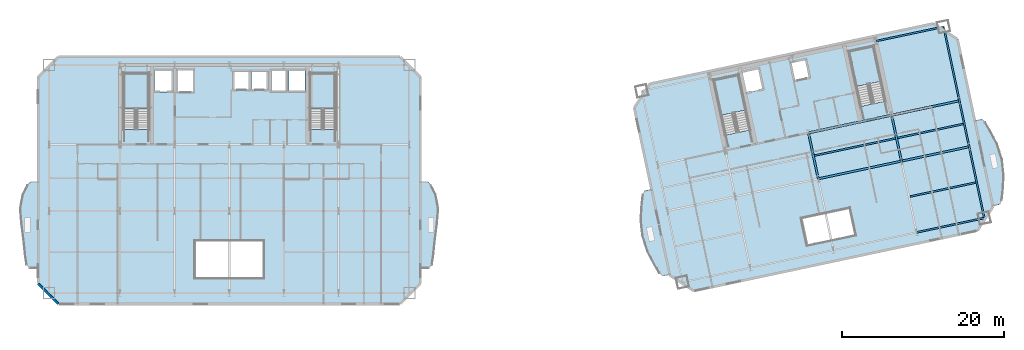
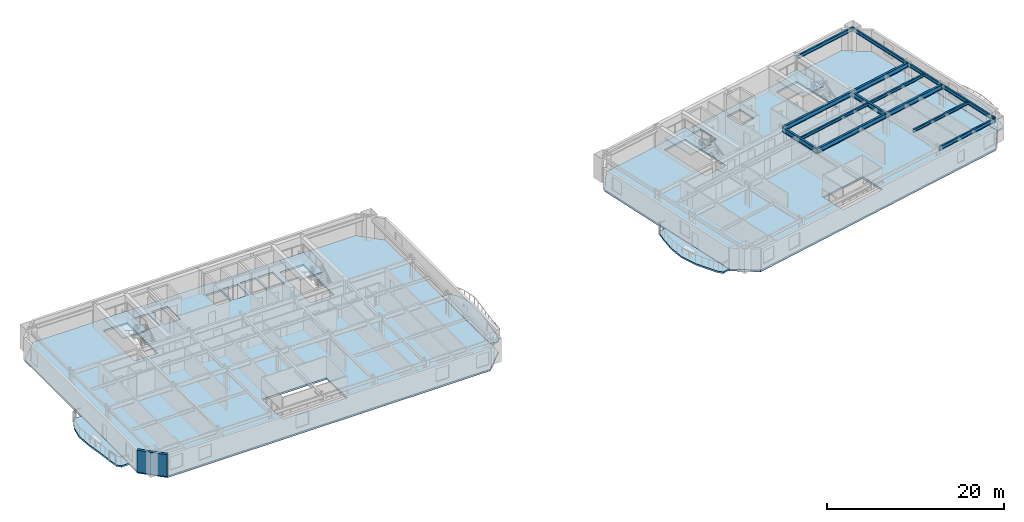
# One storey, part 4 of 14: 14 beams, 10 slabs, 1 wall, 4 elements without a shape of their own.
"""IFC4 building model written with IfcOpenShell, lengths in metres."""

from ifc_helpers import new_model, si_unit, direction, frame, frame_2d, origin, origin_2d, place, context, subcontext, project, spatial, polyline, rectangle, i_section, outline, extrude, material, layer, layer_set, material_profile, profile_set, type_object, element, aggregate, save


model = new_model("IFC4")

# Units and contexts
model_context = context("Model", 3, precision=1e-05, world=origin(), true_north=direction((0.0, 1.0)))
body_context = subcontext(model_context, "Body", "Model", "MODEL_VIEW")
ifc_project = project(units=[si_unit("LENGTHUNIT", "METRE"), si_unit("AREAUNIT", "SQUARE_METRE"), si_unit("VOLUMEUNIT", "CUBIC_METRE"), si_unit("PLANEANGLEUNIT", "RADIAN"), si_unit("MASSUNIT", "GRAM", prefix="KILO")], contexts=[model_context])

# Site, building, storey
site_placement = place(None, origin())
site = spatial("IfcSite", under=ifc_project, at=site_placement, CompositionType="ELEMENT")
building_placement = place(site_placement, origin())
building = spatial("IfcBuilding", under=site, at=building_placement, Name="Haevon Station Towers", CompositionType="ELEMENT")
storey_placement = place(building_placement, frame((0.0, 0.0, 106.5)))
storey = spatial("IfcBuildingStorey", under=building, at=storey_placement, Name="L28", CompositionType="ELEMENT", Elevation=106.5)

# Beams
ifc_material_1 = material(Name="Steel S355", Category="steel")
ifc_material_profile_1 = material_profile(ifc_material_1, i_section(OverallWidth=0.25, OverallDepth=0.64990234375, WebThickness=0.012939453125, FlangeThickness=0.02197265625, at=origin_2d()), Name="H-650x250x13x22")
ifc_profile_set_1 = profile_set([ifc_material_profile_1], Name="Steel S355")
beam_type_1 = type_object("IfcBeamType", Name="BM-G650", PredefinedType="BEAM", material=ifc_profile_set_1)
beam_1_placement = place(storey_placement, frame((110.228759765625, 33.9521484375, 2.72509765625), z_axis=(0.978146794194, 0.207915485254, 0.0), x_axis=(-0.207915485254, 0.978146794194, 0.0)))
element("IfcBeam", 1, at=beam_1_placement, inside=storey, type_object=beam_type_1, Name="BM-T2U-L28-02-03", PredefinedType="BEAM", context=body_context, shape_type="SweptSolid", body=[
    extrude(i_section(OverallWidth=0.25, OverallDepth=0.64990234375, WebThickness=0.012939453125, FlangeThickness=0.02197265625, at=origin_2d()), origin(), (0.0, 0.0, 1.0), 10.5),
])
beam_2_placement = place(storey_placement, frame((120.499267578125, 36.13525390625, 2.72509765625), z_axis=(0.978149560998, 0.207902468287, 0.0), x_axis=(-0.207902468287, 0.978149560998, 0.0)))
element("IfcBeam", 2, at=beam_2_placement, inside=storey, type_object=beam_type_1, Name="BM-T2U-L28-02-04", PredefinedType="BEAM", context=body_context, shape_type="SweptSolid", body=[
    extrude(i_section(OverallWidth=0.25, OverallDepth=0.64990234375, WebThickness=0.012939453125, FlangeThickness=0.02197265625, at=origin_2d()), origin(), (0.0, 0.0, 1.0), 8.550048828125),
])
beam_3_placement = place(storey_placement, frame((109.02294921875, 39.62548828125, 2.72509765625), z_axis=(0.978146794194, 0.207915485254, 0.0), x_axis=(-0.207915485254, 0.978146794194, 0.0)))
element("IfcBeam", 3, at=beam_3_placement, inside=storey, type_object=beam_type_1, Name="BM-T2U-L28-03-03", PredefinedType="BEAM", context=body_context, shape_type="SweptSolid", body=[
    extrude(i_section(OverallWidth=0.25, OverallDepth=0.64990234375, WebThickness=0.012939453125, FlangeThickness=0.02197265625, at=origin_2d()), origin(), (0.0, 0.0, 1.0), 10.5),
])
beam_4_placement = place(storey_placement, frame((119.29345703125, 41.80859375, 2.72509765625), z_axis=(0.978148326739, 0.2079082752, 0.0), x_axis=(-0.2079082752, 0.978148326739, 0.0)))
element("IfcBeam", 4, at=beam_4_placement, inside=storey, type_object=beam_type_1, Name="BM-T2U-L28-03-04", PredefinedType="BEAM", context=body_context, shape_type="SweptSolid", body=[
    extrude(i_section(OverallWidth=0.25, OverallDepth=0.64990234375, WebThickness=0.012939453125, FlangeThickness=0.02197265625, at=origin_2d()), origin(), (0.0, 0.0, 1.0), 8.5498046875),
])
for number, where, z_axis, x_axis, name in (
    (5, (110.228759765625, 33.9521484375, 2.72509765625), (-0.207896009217, 0.97815093383, 0.0), (-0.97815093383, -0.207896009217, 0.0), "BM-T2V-L28-03-02"),
    (6, (120.499267578125, 36.13525390625, 2.72509765625), (-0.207896009217, 0.97815093383, 0.0), (-0.97815093383, -0.207896009217, 0.0), "BM-T2V-L28-04-02"),
):
    element("IfcBeam", number, at=place(storey_placement, frame(where, z_axis=z_axis, x_axis=x_axis)), inside=storey, type_object=beam_type_1, Name=name, PredefinedType="BEAM", context=body_context, shape_type="SweptSolid", body=[
        extrude(i_section(OverallWidth=0.25, OverallDepth=0.64990234375, WebThickness=0.012939453125, FlangeThickness=0.02197265625, at=origin_2d()), origin(), (0.0, 0.0, 1.0), 5.800048828125),
    ])
ifc_material_profile_2 = material_profile(ifc_material_1, i_section(OverallWidth=0.199951171875, OverallDepth=0.39990234375, WebThickness=0.008056640625, FlangeThickness=0.012939453125, at=origin_2d()), Name="H-400x200x8x13")
ifc_profile_set_2 = profile_set([ifc_material_profile_2], Name="Steel S355")
beam_type_2 = type_object("IfcBeamType", Name="BM-J400", PredefinedType="JOIST", material=ifc_profile_set_2)
beam_5_placement = place(storey_placement, frame((121.54248046875, 31.756591796875, 2.85009765625), z_axis=(0.978146782292, 0.207915541247, 0.0), x_axis=(-0.207915541247, 0.978146782292, 0.0)))
element("IfcBeam", 7, at=beam_5_placement, inside=storey, type_object=beam_type_2, Name="BM-T2J-L28-01-04", PredefinedType="JOIST", context=body_context, shape_type="SweptSolid", body=[
    extrude(i_section(OverallWidth=0.199951171875, OverallDepth=0.39990234375, WebThickness=0.008056640625, FlangeThickness=0.012939453125, at=origin_2d()), origin(), (0.0, 0.0, 1.0), 8.330078125),
])
beam_6_placement = place(storey_placement, frame((109.7333984375, 36.811767578125, 2.85009765625), z_axis=(0.978150339653, 0.207898804801, 0.0), x_axis=(-0.207898804801, 0.978150339653, 0.0)))
element("IfcBeam", 8, at=beam_6_placement, inside=storey, type_object=beam_type_2, Name="BM-T2J-L28-02-03", PredefinedType="JOIST", context=body_context, shape_type="SweptSolid", body=[
    extrude(i_section(OverallWidth=0.199951171875, OverallDepth=0.39990234375, WebThickness=0.008056640625, FlangeThickness=0.012939453125, at=origin_2d()), origin(), (0.0, 0.0, 1.0), 10.280029296875),
])
beam_7_placement = place(storey_placement, frame((120.00390625, 38.994873046875, 2.85009765625), z_axis=(0.978146782292, 0.207915541247, 0.0), x_axis=(-0.207915541247, 0.978146782292, 0.0)))
element("IfcBeam", 9, at=beam_7_placement, inside=storey, type_object=beam_type_2, Name="BM-T2J-L28-02-04", PredefinedType="JOIST", context=body_context, shape_type="SweptSolid", body=[
    extrude(i_section(OverallWidth=0.199951171875, OverallDepth=0.39990234375, WebThickness=0.008056640625, FlangeThickness=0.012939453125, at=origin_2d()), origin(), (0.0, 0.0, 1.0), 8.330078125),
])
ifc_material_profile_3 = material_profile(ifc_material_1, i_section(OverallWidth=0.199951171875, OverallDepth=0.5, WebThickness=0.010009765625, FlangeThickness=0.01611328125, at=origin_2d()), Name="H-500x200x10x16")
ifc_profile_set_3 = profile_set([ifc_material_profile_3], Name="Steel S355")
beam_type_3 = type_object("IfcBeamType", Name="BM-SP500", PredefinedType="SPANDREL", material=ifc_profile_set_3)
beam_8_placement = place(storey_placement, frame((122.37060546875, 27.33203125, 2.800048828125), z_axis=(0.978148326739, 0.2079082752, 0.0), x_axis=(-0.2079082752, 0.978148326739, 0.0)))
element("IfcBeam", 10, at=beam_8_placement, inside=storey, type_object=beam_type_3, Name="BM-T2U-L28-01-04", PredefinedType="SPANDREL", context=body_context, shape_type="SweptSolid", body=[
    extrude(i_section(OverallWidth=0.199951171875, OverallDepth=0.5, WebThickness=0.010009765625, FlangeThickness=0.01611328125, at=origin_2d()), origin(), (0.0, 0.0, 1.0), 8.5498046875),
])
beam_9_placement = place(storey_placement, frame((117.349365234375, 50.954345703125, 2.800048828125), z_axis=(0.978149560998, 0.207902468287, 0.0), x_axis=(-0.207902468287, 0.978149560998, 0.0)))
element("IfcBeam", 11, at=beam_9_placement, inside=storey, type_object=beam_type_3, Name="BM-T2U-L28-04-04", PredefinedType="SPANDREL", context=body_context, shape_type="SweptSolid", body=[
    extrude(i_section(OverallWidth=0.199951171875, OverallDepth=0.5, WebThickness=0.010009765625, FlangeThickness=0.01611328125, at=origin_2d()), origin(), (0.0, 0.0, 1.0), 8.550048828125),
])
beam_10_placement = place(storey_placement, frame((130.733642578125, 29.109619140625, 2.800048828125), z_axis=(-0.20790223038, 0.978149611564, 0.0), x_axis=(-0.978149611564, -0.20790223038, 0.0)))
element("IfcBeam", 12, at=beam_10_placement, inside=storey, type_object=beam_type_3, Name="BM-T2V-L28-05-01", PredefinedType="SPANDREL", context=body_context, shape_type="SweptSolid", body=[
    extrude(i_section(OverallWidth=0.199951171875, OverallDepth=0.5, WebThickness=0.010009765625, FlangeThickness=0.01611328125, at=origin_2d()), origin(), (0.0, 0.0, 1.0), 8.999755859375),
])
beam_11_placement = place(storey_placement, frame((128.862548828125, 37.912841796875, 2.800048828125), z_axis=(-0.207936282142, 0.978142373363, 0.0), x_axis=(-0.978142373363, -0.207936282142, 0.0)))
element("IfcBeam", 13, at=beam_11_placement, inside=storey, type_object=beam_type_3, Name="BM-T2V-L28-05-02", PredefinedType="SPANDREL", context=body_context, shape_type="SweptSolid", body=[
    extrude(i_section(OverallWidth=0.199951171875, OverallDepth=0.5, WebThickness=0.010009765625, FlangeThickness=0.01611328125, at=origin_2d()), origin(), (0.0, 0.0, 1.0), 5.800048828125),
])
beam_12_placement = place(storey_placement, frame((127.656494140625, 43.586181640625, 2.800048828125), z_axis=(-0.207897167074, 0.978150687738, 0.0), x_axis=(-0.978150687738, -0.207897167074, 0.0)))
element("IfcBeam", 14, at=beam_12_placement, inside=storey, type_object=beam_type_3, Name="BM-T2V-L28-05-03", PredefinedType="SPANDREL", context=body_context, shape_type="SweptSolid", body=[
    extrude(i_section(OverallWidth=0.199951171875, OverallDepth=0.5, WebThickness=0.010009765625, FlangeThickness=0.01611328125, at=origin_2d()), origin(), (0.0, 0.0, 1.0), 9.35009765625),
])

# Slabs
ifc_material_2 = material(Name="Concrete C40/50", Category="concrete")
ifc_layer_1 = layer(ifc_material_2, 0.219970703125)
ifc_layer_set_1 = layer_set([ifc_layer_1], Name="Concrete C40/50")
slab_type_1 = type_object("IfcSlabType", Name="SL-BALC220", PredefinedType="FLOOR", material=ifc_layer_set_1)
slab_1_placement = place(storey_placement, frame((0.0, 0.0, -0.219970703125)))
element("IfcSlab", 15, at=slab_1_placement, inside=storey, type_object=slab_type_1, Name="Tower 1 L28 West SCALLOPED BALCONY", PredefinedType="FLOOR", context=body_context, shape_type="SweptSolid", body=[
    extrude(outline(polyline([(13.89501953125, 33.64990234375), (13.044921875, 33.64990234375), (12.609130859375, 33.239013671875), (12.002685546875, 32.068359375), (11.66357421875, 30.31640625), (11.794921875, 28.25), (12.11181640625, 26.18359375), (12.30078125, 24.431640625), (12.484619140625, 23.260986328125), (12.906494140625, 22.85009765625), (13.89501953125, 22.85009765625), (13.89501953125, 33.64990234375)])), origin(), (0.0, 0.0, 1.0), 0.219970703125),
])
slab_2_placement = place(storey_placement, frame((0.0, 0.0, -0.219970703125)))
element("IfcSlab", 16, at=slab_2_placement, inside=storey, type_object=slab_type_1, Name="Tower 1 L28 East SCALLOPED BALCONY", PredefinedType="FLOOR", context=body_context, shape_type="SweptSolid", body=[
    extrude(outline(polyline([(61.10498046875, 22.85009765625), (62.093505859375, 22.85009765625), (62.515380859375, 23.260986328125), (62.69921875, 24.431640625), (62.88818359375, 26.18359375), (63.205078125, 28.25), (63.33642578125, 30.31640625), (62.997314453125, 32.068359375), (62.390869140625, 33.239013671875), (61.955078125, 33.64990234375), (61.10498046875, 33.64990234375), (61.10498046875, 22.85009765625)])), origin(), (0.0, 0.0, 1.0), 0.219970703125),
])
slab_3_placement = place(storey_placement, frame((0.0, 0.0, -0.219970703125)))
element("IfcSlab", 17, at=slab_3_placement, inside=storey, type_object=slab_type_1, Name="Tower 2 L28 West SCALLOPED BALCONY", PredefinedType="FLOOR", context=body_context, shape_type="SweptSolid", body=[
    extrude(outline(polyline([(89.640869140625, 32.668701171875), (88.778076171875, 32.4853515625), (88.5546875, 32.017578125), (88.41015625, 30.7900390625), (88.279541015625, 28.971435546875), (88.461181640625, 26.897216796875), (89.138916015625, 24.9287109375), (89.997802734375, 23.3203125), (90.62939453125, 22.2578125), (91.0234375, 21.92138671875), (91.88623046875, 22.104736328125), (89.640869140625, 32.668701171875)])), origin(), (0.0, 0.0, 1.0), 0.219970703125),
])
slab_4_placement = place(storey_placement, frame((0.0, 0.0, -0.219970703125)))
element("IfcSlab", 18, at=slab_4_placement, inside=storey, type_object=slab_type_1, Name="Tower 2 L28 East SCALLOPED BALCONY", PredefinedType="FLOOR", context=body_context, shape_type="SweptSolid", body=[
    extrude(outline(polyline([(131.804443359375, 30.589599609375), (132.667236328125, 30.77294921875), (132.890380859375, 31.24072265625), (133.03515625, 32.468017578125), (133.16552734375, 34.286865234375), (132.98388671875, 36.36083984375), (132.30615234375, 38.32958984375), (131.447265625, 39.93798828125), (130.81591796875, 41.00048828125), (130.421630859375, 41.3369140625), (129.558837890625, 41.153564453125), (131.804443359375, 30.589599609375)])), origin(), (0.0, 0.0, 1.0), 0.219970703125),
])

# Stair, slab
stair_type = type_object("IfcStairType", Name="STR-DL1450", PredefinedType="USERDEFINED", material=ifc_material_2)
stair_1_placement = place(storey_placement, origin())
stair_1 = element("IfcStair", 19, at=stair_1_placement, inside=storey, type_object=stair_type, Name="L28 Escape Stair ST1", ObjectType="TWO_RETURN_STAIR", PredefinedType="USERDEFINED")
ifc_layer_2 = layer(ifc_material_2, 0.199951171875)
ifc_layer_set_2 = layer_set([ifc_layer_2], Name="Concrete C40/50")
slab_type_2 = type_object("IfcSlabType", Name="SL-LND200", PredefinedType="LANDING", material=ifc_layer_set_2)
slab_5_placement = place(storey_placement, frame((0.0, 0.0, 1.449951171875)))
slab_5 = element("IfcSlab", 20, at=slab_5_placement, type_object=slab_type_2, Name="L28 ST1 Half Landing 1", PredefinedType="LANDING", context=body_context, shape_type="SweptSolid", body=[
    extrude(outline(polyline([(27.580078125, 42.56396484375), (27.580078125, 47.0), (24.47998046875, 47.0), (24.47998046875, 42.56396484375), (27.580078125, 42.56396484375)])), origin(), (0.0, 0.0, 1.0), 0.199951171875),
])
aggregate(stair_1, [slab_5])

stair_2_placement = place(storey_placement, origin())
stair_2 = element("IfcStair", 21, at=stair_2_placement, inside=storey, type_object=stair_type, Name="L28 Escape Stair ST2", ObjectType="TWO_RETURN_STAIR", PredefinedType="USERDEFINED")
slab_6_placement = place(storey_placement, frame((0.0, 0.0, 1.449951171875)))
slab_6 = element("IfcSlab", 22, at=slab_6_placement, type_object=slab_type_2, Name="L28 ST2 Half Landing 1", PredefinedType="LANDING", context=body_context, shape_type="SweptSolid", body=[
    extrude(outline(polyline([(50.6201171875, 42.56396484375), (50.6201171875, 47.0), (47.52001953125, 47.0), (47.52001953125, 42.56396484375), (50.6201171875, 42.56396484375)])), origin(), (0.0, 0.0, 1.0), 0.199951171875),
])
aggregate(stair_2, [slab_6])

stair_3_placement = place(storey_placement, origin())
stair_3 = element("IfcStair", 23, at=stair_3_placement, inside=storey, type_object=stair_type, Name="L28 Escape Stair ST3", ObjectType="TWO_RETURN_STAIR", PredefinedType="USERDEFINED")
slab_7_placement = place(storey_placement, frame((0.0, 0.0, 1.449951171875)))
slab_7 = element("IfcSlab", 24, at=slab_7_placement, type_object=slab_type_2, Name="L28 ST3 Half Landing 1", PredefinedType="LANDING", context=body_context, shape_type="SweptSolid", body=[
    extrude(outline(polyline([(101.2880859375, 42.44287109375), (100.36572265625, 46.781982421875), (97.33349609375, 46.137451171875), (98.255859375, 41.79833984375), (101.2880859375, 42.44287109375)])), origin(), (0.0, 0.0, 1.0), 0.199951171875),
])
aggregate(stair_3, [slab_7])

stair_4_placement = place(storey_placement, origin())
stair_4 = element("IfcStair", 25, at=stair_4_placement, inside=storey, type_object=stair_type, Name="L28 Escape Stair ST4", ObjectType="TWO_RETURN_STAIR", PredefinedType="USERDEFINED")
slab_8_placement = place(storey_placement, frame((0.0, 0.0, 1.449951171875)))
slab_8 = element("IfcSlab", 26, at=slab_8_placement, type_object=slab_type_2, Name="L28 ST4 Half Landing 1", PredefinedType="LANDING", context=body_context, shape_type="SweptSolid", body=[
    extrude(outline(polyline([(117.975341796875, 45.989990234375), (117.052978515625, 50.328857421875), (114.020751953125, 49.684326171875), (114.943115234375, 45.345458984375), (117.975341796875, 45.989990234375)])), origin(), (0.0, 0.0, 1.0), 0.199951171875),
])
aggregate(stair_4, [slab_8])

# Slabs
ifc_layer_3 = layer(ifc_material_2, 0.25)
ifc_layer_set_3 = layer_set([ifc_layer_3], Name="Concrete C40/50")
slab_type_3 = type_object("IfcSlabType", Name="SL-TW250", PredefinedType="FLOOR", material=ifc_layer_set_3)
slab_9_placement = place(storey_placement, frame((0.0, 0.0, -0.25)))
element("IfcSlab", 27, at=slab_9_placement, inside=storey, type_object=slab_type_3, Name="SL-T1-L28", PredefinedType="FLOOR", context=body_context, shape_type="SweptSolid", body=[
    extrude(outline(polyline([(16.39990234375, 18.5), (58.60009765625, 18.5), (61.10009765625, 21.0), (61.10009765625, 46.5), (58.60009765625, 49.0), (16.39990234375, 49.0), (13.89990234375, 46.5), (13.89990234375, 21.0), (16.39990234375, 18.5)]), holes=[polyline([(27.580078125, 40.055908203125), (27.580078125, 47.0), (24.47998046875, 47.0), (24.47998046875, 40.055908203125), (27.580078125, 40.055908203125)]), polyline([(50.6201171875, 40.055908203125), (50.6201171875, 47.0), (47.52001953125, 47.0), (47.52001953125, 40.055908203125), (50.6201171875, 40.055908203125)]), polyline([(28.300048828125, 44.699951171875), (30.5, 44.699951171875), (30.5, 47.39990234375), (28.300048828125, 47.39990234375), (28.300048828125, 44.699951171875)]), polyline([(31.050048828125, 44.60009765625), (33.14990234375, 44.60009765625), (33.14990234375, 47.5), (31.050048828125, 47.5), (31.050048828125, 44.60009765625)]), polyline([(38.0, 44.89990234375), (40.0, 44.89990234375), (40.0, 47.300048828125), (38.0, 47.300048828125), (38.0, 44.89990234375)]), polyline([(40.25, 44.89990234375), (42.25, 44.89990234375), (42.25, 47.300048828125), (40.25, 47.300048828125), (40.25, 44.89990234375)]), polyline([(42.60009765625, 44.699951171875), (44.60009765625, 44.699951171875), (44.60009765625, 47.39990234375), (42.60009765625, 47.39990234375), (42.60009765625, 44.699951171875)]), polyline([(44.85009765625, 44.699951171875), (46.85009765625, 44.699951171875), (46.85009765625, 47.39990234375), (44.85009765625, 47.39990234375), (44.85009765625, 44.699951171875)]), polyline([(33.300048828125, 21.699951171875), (41.699951171875, 21.699951171875), (41.699951171875, 26.300048828125), (33.300048828125, 26.300048828125), (33.300048828125, 21.699951171875)])]), origin(), (0.0, 0.0, 1.0), 0.25),
])
slab_10_placement = place(storey_placement, frame((0.0, 0.0, -0.25)))
element("IfcSlab", 28, at=slab_10_placement, inside=storey, type_object=slab_type_3, Name="SL-T2-L28", PredefinedType="FLOOR", context=body_context, shape_type="SweptSolid", body=[
    extrude(outline(polyline([(94.871826171875, 20.106689453125), (129.889404296875, 27.550048828125), (131.815185546875, 30.51513671875), (127.417724609375, 51.202880859375), (124.45263671875, 53.128662109375), (89.43505859375, 45.685302734375), (87.50927734375, 42.72021484375), (91.90673828125, 22.032470703125), (94.871826171875, 20.106689453125)]), holes=[polyline([(101.8095703125, 39.98974609375), (100.36572265625, 46.781982421875), (97.33349609375, 46.137451171875), (98.77734375, 39.34521484375), (101.8095703125, 39.98974609375)]), polyline([(118.496826171875, 43.53662109375), (117.052978515625, 50.328857421875), (114.020751953125, 49.684326171875), (115.464599609375, 42.89208984375), (118.496826171875, 43.53662109375)]), polyline([(101.43212890625, 44.554931640625), (103.486328125, 44.99169921875), (102.9248046875, 47.632568359375), (100.870849609375, 47.196044921875), (101.43212890625, 44.554931640625)]), polyline([(107.259521484375, 45.998046875), (109.2158203125, 46.413818359375), (108.716796875, 48.761474609375), (106.760498046875, 48.345703125), (107.259521484375, 45.998046875)]), polyline([(108.90576171875, 25.747802734375), (114.774658203125, 26.995361328125), (114.067626953125, 30.321044921875), (108.19873046875, 29.073486328125), (108.90576171875, 25.747802734375)])]), origin(), (0.0, 0.0, 1.0), 0.25),
])

# Wall
ifc_material_3 = material(Name="Precast concrete C45/55", Category="concrete")
ifc_layer_4 = layer(ifc_material_3, 0.320068359375)
ifc_layer_set_4 = layer_set([ifc_layer_4], Name="Precast concrete C45/55")
wall_type = type_object("IfcWallType", Name="WL-EXT-PIER320", PredefinedType="SOLIDWALL", material=ifc_layer_set_4)
wall_placement = place(storey_placement, frame((16.39990234375, 18.5, 0.0), z_axis=(0.0, 0.0, 1.0), x_axis=(-0.707106781187, 0.707106781187, 0.0)))
element("IfcWall", 29, at=wall_placement, inside=storey, type_object=wall_type, Name="WL-T1-L28-SWC", PredefinedType="SOLIDWALL", context=body_context, shape_type="SweptSolid", body=[
    extrude(rectangle(XDim=3.53564453125, YDim=0.320068359375, at=frame_2d((1.767822265625, 0.0))), origin(), (0.0, 0.0, 1.0), 3.030029296875),
])

save(model, "model.ifc")
